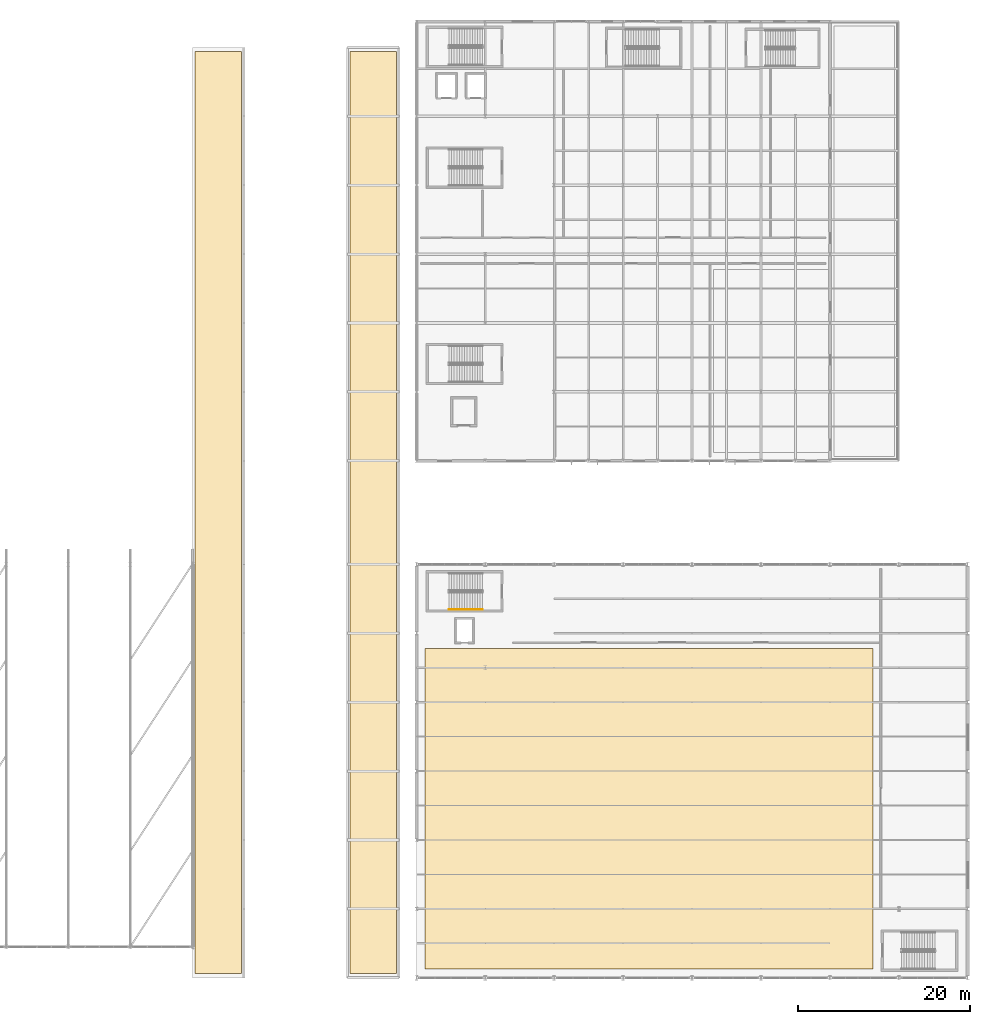
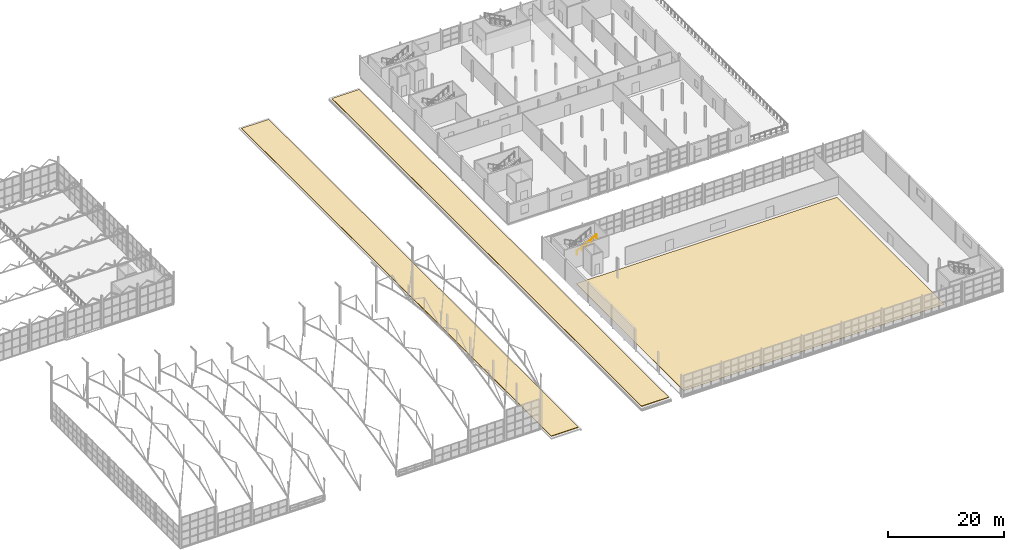
# One storey, part 145 of 153: 3 coverings, 1 railing.
"""IFC4 building model written with IfcOpenShell, lengths in metres."""

from ifc_helpers import new_model, si_unit, derived_unit, direction, frame, origin, origin_2d, place, context, subcontext, project, spatial, polyline, circle, outline, extrude, material, layer, layer_set, type_object, element, save


model = new_model("IFC4")

# Units and contexts
model_context = context("Model", 3, precision=1e-05, world=origin(), true_north=direction((0.0, 1.0)))
body_context = subcontext(model_context, "Body", "Model", "MODEL_VIEW")
ifc_project = project(units=[si_unit("LENGTHUNIT", "METRE"), si_unit("AREAUNIT", "SQUARE_METRE"), si_unit("VOLUMEUNIT", "CUBIC_METRE"), si_unit("PLANEANGLEUNIT", "RADIAN"), si_unit("MASSUNIT", "GRAM", prefix="KILO"), derived_unit("THERMALTRANSMITTANCEUNIT", [(si_unit("POWERUNIT", "WATT"), 1), (si_unit("LENGTHUNIT", "METRE"), -2), (si_unit("THERMODYNAMICTEMPERATUREUNIT", "KELVIN"), -1)])], contexts=[model_context])

# Site, building, storey
site_placement = place(None, origin())
site = spatial("IfcSite", under=ifc_project, at=site_placement, CompositionType="ELEMENT")
building_placement = place(site_placement, origin())
building = spatial("IfcBuilding", under=site, at=building_placement, Name="Keldorne Ridge Multi-Sports Centre", CompositionType="ELEMENT")
storey_placement = place(building_placement, frame((0.0, 0.0, 9.60009765625)))
storey = spatial("IfcBuildingStorey", under=building, at=storey_placement, Name="L02", CompositionType="ELEMENT", Elevation=9.60009765625)

# Coverings
ifc_material_1 = material(Name="Sprung beech sports flooring")
ifc_layer_1 = layer(ifc_material_1, 0.044921875)
ifc_layer_set_1 = layer_set([ifc_layer_1])
covering_type_1 = type_object("IfcCoveringType", Name="COV-FL-01", PredefinedType="FLOORING", material=ifc_layer_set_1)
covering_1_placement = place(storey_placement, origin())
element("IfcCovering", 1, at=covering_1_placement, inside=storey, type_object=covering_type_1, Name="Upper Four-Court sprung beech floor", PredefinedType="FLOORING", context=body_context, shape_type="SweptSolid", body=[
    extrude(outline(polyline([(105.0, 7.0), (157.0, 7.0), (157.0, 44.199951171875), (105.0, 44.199951171875), (105.0, 7.0)])), origin(), (0.0, 0.0, 1.0), 0.044921875),
])
ifc_material_2 = material(Name="EPDM and sedum extensive green roof")
ifc_layer_2 = layer(ifc_material_2, 0.1201171875)
ifc_layer_set_2 = layer_set([ifc_layer_2])
covering_type_2 = type_object("IfcCoveringType", Name="COV-RF-02", PredefinedType="MEMBRANE", material=ifc_layer_set_2)
covering_2_placement = place(storey_placement, origin())
element("IfcCovering", 2, at=covering_2_placement, inside=storey, type_object=covering_type_2, Name="Passage west roof green strip", PredefinedType="MEMBRANE", context=body_context, shape_type="SweptSolid", body=[
    extrude(outline(polyline([(78.300048828125, 6.5), (83.699951171875, 6.5), (83.699951171875, 113.5), (78.300048828125, 113.5), (78.300048828125, 6.5)])), origin(), (0.0, 0.0, 1.0), 0.119873046875),
])
covering_3_placement = place(storey_placement, origin())
element("IfcCovering", 3, at=covering_3_placement, inside=storey, type_object=covering_type_2, Name="Passage east roof green strip", PredefinedType="MEMBRANE", context=body_context, shape_type="SweptSolid", body=[
    extrude(outline(polyline([(96.300048828125, 6.5), (101.699951171875, 6.5), (101.699951171875, 113.5), (96.300048828125, 113.5), (96.300048828125, 6.5)])), origin(), (0.0, 0.0, 1.0), 0.119873046875),
])

# Railing
ifc_material_3 = material(Name="Stainless steel", Category="steel")
railing_type = type_object("IfcRailingType", Name="RLG-HR-01", PredefinedType="HANDRAIL", material=ifc_material_3)
railing_placement = place(storey_placement, frame((107.800048828125, 48.75, 2.35693359375)))
element("IfcRailing", 4, at=railing_placement, inside=storey, type_object=railing_type, Name="L02 ST-04 stair handrail 2", PredefinedType="HANDRAIL", context=body_context, shape_type="SweptSolid", body=[
    extrude(circle(Radius=0.02392578125, at=origin_2d()), frame((0.0, 0.0, 0.8759765625), z_axis=(0.885816339326, 0.0, 0.464036003974), x_axis=(0.0, 1.0, 0.0)), (0.0, 0.0, 1.0), 4.402587890625),
    extrude(circle(Radius=0.02099609375, at=origin_2d()), origin(), (0.0, 0.0, 1.0), 0.851806640625),
    extrude(circle(Radius=0.02099609375, at=origin_2d()), frame((0.97509765625, 0.0, 0.5107421875)), (0.0, 0.0, 1.0), 0.851806640625),
    extrude(circle(Radius=0.02099609375, at=origin_2d()), frame((1.949951171875, 0.0, 1.021484375)), (0.0, 0.0, 1.0), 0.851806640625),
    extrude(circle(Radius=0.02099609375, at=origin_2d()), frame((2.9248046875, 0.0, 1.5322265625)), (0.0, 0.0, 1.0), 0.851806640625),
    extrude(circle(Radius=0.02099609375, at=origin_2d()), frame((3.89990234375, 0.0, 2.04296875)), (0.0, 0.0, 1.0), 0.851806640625),
])

save(model, "model.ifc")
